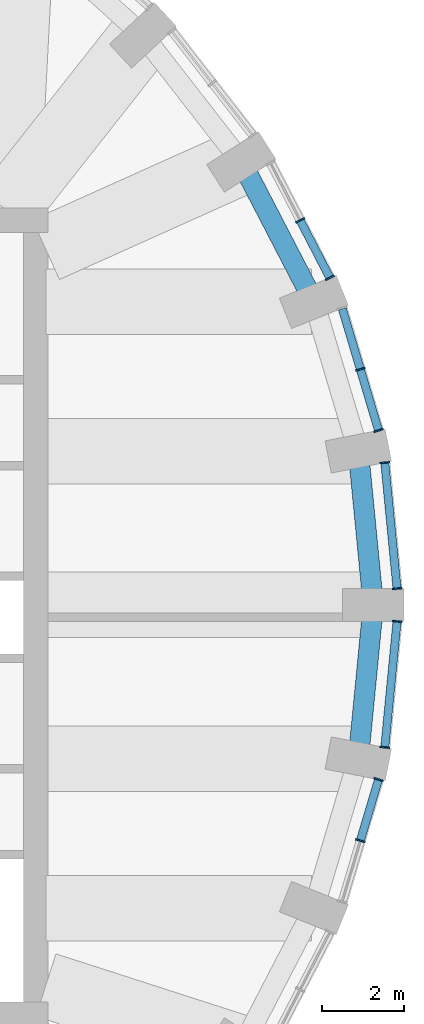
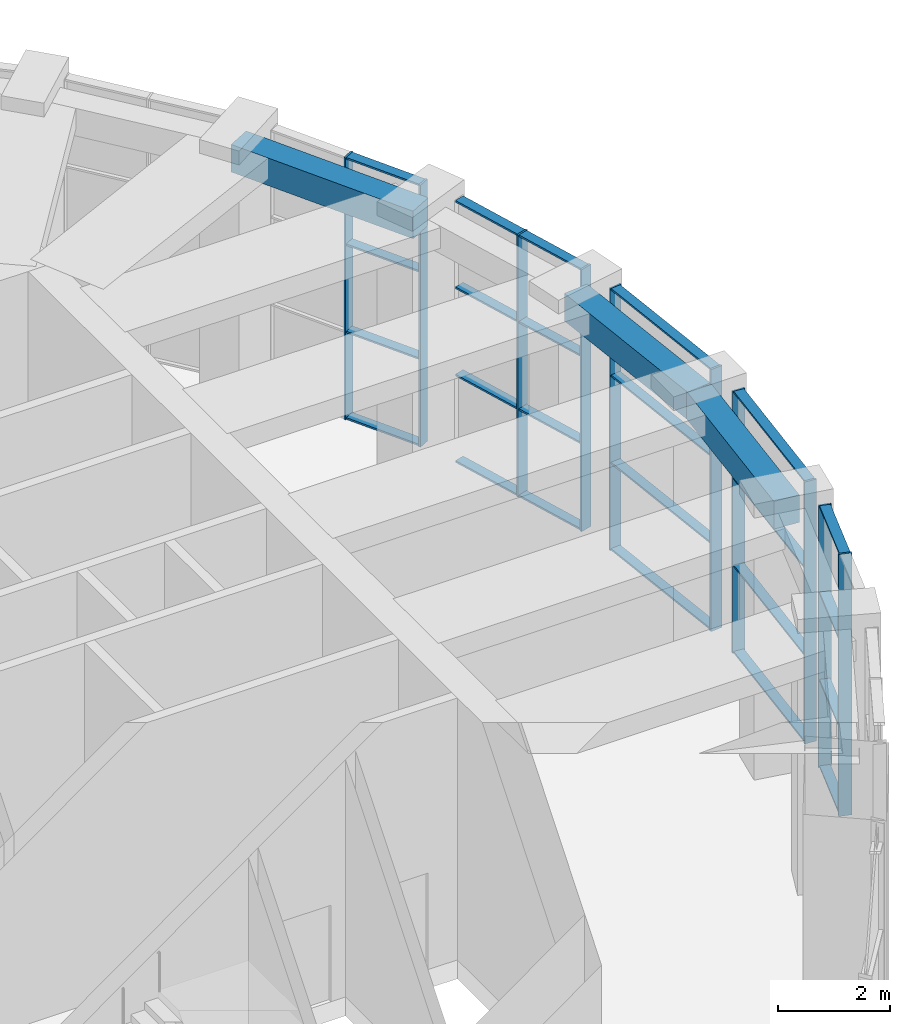
# One storey, part 8 of 20: 34 members, 3 beams, 5 elements without a shape of their own.
"""IFC4 building model written with IfcOpenShell, lengths in metres."""

from ifc_helpers import new_model, si_unit, direction, frame, origin, origin_2d, place, context, subcontext, project, spatial, rectangle, extrude, material, material_profile, profile_set, type_object, element, aggregate, save


model = new_model("IFC4")

# Units and contexts
model_context = context("Model", 3, precision=1e-05, world=origin(), true_north=direction((0.0, 1.0)))
body_context = subcontext(model_context, "Body", "Model", "MODEL_VIEW")
ifc_project = project(units=[si_unit("LENGTHUNIT", "METRE"), si_unit("AREAUNIT", "SQUARE_METRE"), si_unit("VOLUMEUNIT", "CUBIC_METRE"), si_unit("PLANEANGLEUNIT", "RADIAN"), si_unit("MASSUNIT", "GRAM", prefix="KILO")], contexts=[model_context])

# Site, building, storey
site_placement = place(None, origin())
site = spatial("IfcSite", under=ifc_project, at=site_placement, CompositionType="ELEMENT")
building_placement = place(site_placement, origin())
building = spatial("IfcBuilding", under=site, at=building_placement, Name="Taillehof Tower", CompositionType="ELEMENT")
storey_placement = place(building_placement, frame((0.0, 0.0, 269.199951171875)))
storey = spatial("IfcBuildingStorey", under=building, at=storey_placement, Name="L76", CompositionType="ELEMENT", Elevation=269.199951171875)

# Curtain wall, members
ifc_material_1 = material(Name="Aluminium curtain wall with Clear toughened laminated glass", Category="aluminium")
curtain_wall_type = type_object("IfcCurtainWallType", Name="Observation deck curtain wall", PredefinedType="USERDEFINED", material=ifc_material_1)
curtain_wall_1_placement = place(storey_placement, origin())
curtain_wall_1 = element("IfcCurtainWall", 1, at=curtain_wall_1_placement, inside=storey, type_object=curtain_wall_type, Name="Observation deck L76 bay 1", ObjectType="WINDOW WALL", PredefinedType="USERDEFINED")
ifc_material_2 = material(Name="Aluminium mullion", Category="aluminium")
ifc_material_profile_1 = material_profile(ifc_material_2, rectangle(XDim=0.239990234375, YDim=0.0400390625, at=origin_2d()), Name="AL 40x240")
ifc_profile_set_1 = profile_set([ifc_material_profile_1], Name="Aluminium mullion")
member_type_1 = type_object("IfcMemberType", Name="Observation deck mullion 40x240", PredefinedType="MULLION", material=ifc_profile_set_1)
member_1_placement = place(storey_placement, frame((24.530517578125, 0.699951171875, 0.0), z_axis=(0.0, 0.0, 1.0), x_axis=(-0.995312250248, -0.0967136211, 0.0)))
member_1 = element("IfcMember", 2, at=member_1_placement, type_object=member_type_1, Name="CT6E01 mullion 1", PredefinedType="MULLION", context=body_context, shape_type="SweptSolid", body=[
    extrude(rectangle(XDim=0.239990234375, YDim=0.0400390625, at=origin_2d()), origin(), (0.0, 0.0, 1.0), 5.699951171875),
])
member_2_placement = place(storey_placement, frame((24.2314453125, 3.778076171875, 0.0), z_axis=(0.0, 0.0, 1.0), x_axis=(-0.995312250248, -0.0967136211, 0.0)))
member_2 = element("IfcMember", 3, at=member_2_placement, type_object=member_type_1, Name="CT6E01 mullion 2", PredefinedType="MULLION", context=body_context, shape_type="SweptSolid", body=[
    extrude(rectangle(XDim=0.239990234375, YDim=0.0400390625, at=origin_2d()), origin(), (0.0, 0.0, 1.0), 5.699951171875),
])

curtain_wall_2_placement = place(storey_placement, origin())
curtain_wall_2 = element("IfcCurtainWall", 4, at=curtain_wall_2_placement, inside=storey, type_object=curtain_wall_type, Name="Observation deck L76 bay 2", ObjectType="WINDOW WALL", PredefinedType="USERDEFINED")
member_3_placement = place(storey_placement, frame((24.077880859375, 4.563232421875, 0.0), z_axis=(0.0, 0.0, 1.0), x_axis=(-0.958457446134, -0.285235558707, 0.0)))
member_3 = element("IfcMember", 5, at=member_3_placement, type_object=member_type_1, Name="CT6E02 mullion 1", PredefinedType="MULLION", context=body_context, shape_type="SweptSolid", body=[
    extrude(rectangle(XDim=0.239990234375, YDim=0.0400390625, at=origin_2d()), origin(), (0.0, 0.0, 1.0), 5.699951171875),
])
member_4_placement = place(storey_placement, frame((23.63330078125, 6.057373046875, 0.0), z_axis=(0.0, 0.0, 1.0), x_axis=(-0.958457446134, -0.285235558707, 0.0)))
member_4 = element("IfcMember", 6, at=member_4_placement, type_object=member_type_1, Name="CT6E02 mullion 2", PredefinedType="MULLION", context=body_context, shape_type="SweptSolid", body=[
    extrude(rectangle(XDim=0.239990234375, YDim=0.0400390625, at=origin_2d()), origin(), (0.0, 0.0, 1.0), 5.699951171875),
])

curtain_wall_3_placement = place(storey_placement, origin())
curtain_wall_3 = element("IfcCurtainWall", 7, at=curtain_wall_3_placement, inside=storey, type_object=curtain_wall_type, Name="Observation deck L76 bay 3", ObjectType="WINDOW WALL", PredefinedType="USERDEFINED")
member_5_placement = place(storey_placement, frame((22.889404296875, 8.29296875, 0.0), z_axis=(0.0, 0.0, 1.0), x_axis=(-0.887975262702, -0.459891218474, 0.0)))
member_5 = element("IfcMember", 8, at=member_5_placement, type_object=member_type_1, Name="CT6E03 mullion 1", PredefinedType="MULLION", context=body_context, shape_type="SweptSolid", body=[
    extrude(rectangle(XDim=0.239990234375, YDim=0.0400390625, at=origin_2d()), origin(), (0.0, 0.0, 1.0), 5.699951171875),
])
member_6_placement = place(storey_placement, frame((22.161865234375, 9.697509765625, 0.0), z_axis=(0.0, 0.0, 1.0), x_axis=(-0.887975262702, -0.459891218474, 0.0)))
member_6 = element("IfcMember", 9, at=member_6_placement, type_object=member_type_1, Name="CT6E03 mullion 2", PredefinedType="MULLION", context=body_context, shape_type="SweptSolid", body=[
    extrude(rectangle(XDim=0.239990234375, YDim=0.0400390625, at=origin_2d()), origin(), (0.0, 0.0, 1.0), 5.699951171875),
])

curtain_wall_4_placement = place(storey_placement, origin())
curtain_wall_4 = element("IfcCurtainWall", 10, at=curtain_wall_4_placement, inside=storey, type_object=curtain_wall_type, Name="Observation deck L76 bay 35", ObjectType="WINDOW WALL", PredefinedType="USERDEFINED")
member_7_placement = place(storey_placement, frame((23.63330078125, -5.457275390625, 0.0), z_axis=(0.0, 0.0, 1.0), x_axis=(-0.958457446134, 0.285235558707, 0.0)))
member_7 = element("IfcMember", 11, at=member_7_placement, type_object=member_type_1, Name="CT6E35 mullion 2", PredefinedType="MULLION", context=body_context, shape_type="SweptSolid", body=[
    extrude(rectangle(XDim=0.239990234375, YDim=0.0400390625, at=origin_2d()), origin(), (0.0, 0.0, 1.0), 5.699951171875),
])
member_8_placement = place(storey_placement, frame((24.077880859375, -3.96337890625, 0.0), z_axis=(0.0, 0.0, 1.0), x_axis=(-0.958457446134, 0.285235558707, 0.0)))
member_8 = element("IfcMember", 12, at=member_8_placement, type_object=member_type_1, Name="CT6E35 mullion 3", PredefinedType="MULLION", context=body_context, shape_type="SweptSolid", body=[
    extrude(rectangle(XDim=0.239990234375, YDim=0.0400390625, at=origin_2d()), origin(), (0.0, 0.0, 1.0), 5.699951171875),
])

curtain_wall_5_placement = place(storey_placement, origin())
curtain_wall_5 = element("IfcCurtainWall", 13, at=curtain_wall_5_placement, inside=storey, type_object=curtain_wall_type, Name="Observation deck L76 bay 36", ObjectType="WINDOW WALL", PredefinedType="USERDEFINED")
member_9_placement = place(storey_placement, frame((24.2314453125, -3.17822265625, 0.0), z_axis=(0.0, 0.0, 1.0), x_axis=(-0.995312250248, 0.0967136211, 0.0)))
member_9 = element("IfcMember", 14, at=member_9_placement, type_object=member_type_1, Name="CT6E36 mullion 1", PredefinedType="MULLION", context=body_context, shape_type="SweptSolid", body=[
    extrude(rectangle(XDim=0.239990234375, YDim=0.0400390625, at=origin_2d()), origin(), (0.0, 0.0, 1.0), 5.699951171875),
])
member_10_placement = place(storey_placement, frame((24.530517578125, -0.10009765625, 0.0), z_axis=(0.0, 0.0, 1.0), x_axis=(-0.995312250248, 0.0967136211, 0.0)))
member_10 = element("IfcMember", 15, at=member_10_placement, type_object=member_type_1, Name="CT6E36 mullion 2", PredefinedType="MULLION", context=body_context, shape_type="SweptSolid", body=[
    extrude(rectangle(XDim=0.239990234375, YDim=0.0400390625, at=origin_2d()), origin(), (0.0, 0.0, 1.0), 5.699951171875),
])

# Member
ifc_material_3 = material(Name="Aluminium transom", Category="aluminium")
ifc_material_profile_2 = material_profile(ifc_material_3, rectangle(XDim=0.199951171875, YDim=0.0400390625, at=origin_2d()), Name="AL 200x40")
ifc_profile_set_2 = profile_set([ifc_material_profile_2], Name="Aluminium transom")
member_type_2 = type_object("IfcMemberType", Name="Observation deck transom 200x40", PredefinedType="USERDEFINED", material=ifc_profile_set_2)
member_11_placement = place(storey_placement, frame((24.528564453125, 0.719970703125, 0.02001953125), z_axis=(-0.096692247583, 0.995314326862, 0.0), x_axis=(-0.995314326862, -0.096692247583, 0.0)))
member_11 = element("IfcMember", 16, at=member_11_placement, type_object=member_type_2, Name="CT6E01 transom 1.1", ObjectType="TRANSOM", PredefinedType="USERDEFINED", context=body_context, shape_type="SweptSolid", body=[
    extrude(rectangle(XDim=0.199951171875, YDim=0.0400390625, at=origin_2d()), origin(), (0.0, 0.0, 1.0), 3.052734375),
])

member_12_placement = place(storey_placement, frame((24.528564453125, 0.719970703125, 1.900146484375), z_axis=(-0.096692247583, 0.995314326862, 0.0), x_axis=(-0.995314326862, -0.096692247583, 0.0)))
member_12 = element("IfcMember", 17, at=member_12_placement, type_object=member_type_2, Name="CT6E01 transom 1.2", ObjectType="TRANSOM", PredefinedType="USERDEFINED", context=body_context, shape_type="SweptSolid", body=[
    extrude(rectangle(XDim=0.199951171875, YDim=0.0400390625, at=origin_2d()), origin(), (0.0, 0.0, 1.0), 3.052734375),
])

member_13_placement = place(storey_placement, frame((24.528564453125, 0.719970703125, 3.800048828125), z_axis=(-0.096692247583, 0.995314326862, 0.0), x_axis=(-0.995314326862, -0.096692247583, 0.0)))
member_13 = element("IfcMember", 18, at=member_13_placement, type_object=member_type_2, Name="CT6E01 transom 1.3", ObjectType="TRANSOM", PredefinedType="USERDEFINED", context=body_context, shape_type="SweptSolid", body=[
    extrude(rectangle(XDim=0.199951171875, YDim=0.0400390625, at=origin_2d()), origin(), (0.0, 0.0, 1.0), 3.052734375),
])

member_14_placement = place(storey_placement, frame((24.528564453125, 0.719970703125, 5.679931640625), z_axis=(-0.096692247583, 0.995314326862, 0.0), x_axis=(-0.995314326862, -0.096692247583, 0.0)))
member_14 = element("IfcMember", 19, at=member_14_placement, type_object=member_type_2, Name="CT6E01 transom 1.4", ObjectType="TRANSOM", PredefinedType="USERDEFINED", context=body_context, shape_type="SweptSolid", body=[
    extrude(rectangle(XDim=0.199951171875, YDim=0.0400390625, at=origin_2d()), origin(), (0.0, 0.0, 1.0), 3.052734375),
])

aggregate(curtain_wall_1, [member_1, member_2, member_11, member_12, member_13, member_14])

member_15_placement = place(storey_placement, frame((24.072265625, 4.58251953125, 0.02001953125), z_axis=(-0.285341495442, 0.95842591314, 0.0), x_axis=(-0.95842591314, -0.285341495442, 0.0)))
member_15 = element("IfcMember", 20, at=member_15_placement, type_object=member_type_2, Name="CT6E02 transom 1.1", ObjectType="TRANSOM", PredefinedType="USERDEFINED", context=body_context, shape_type="SweptSolid", body=[
    extrude(rectangle(XDim=0.199951171875, YDim=0.0400390625, at=origin_2d()), origin(), (0.0, 0.0, 1.0), 1.518798828125),
])

member_16_placement = place(storey_placement, frame((24.072265625, 4.58251953125, 1.900146484375), z_axis=(-0.285341495442, 0.95842591314, 0.0), x_axis=(-0.95842591314, -0.285341495442, 0.0)))
member_16 = element("IfcMember", 21, at=member_16_placement, type_object=member_type_2, Name="CT6E02 transom 1.2", ObjectType="TRANSOM", PredefinedType="USERDEFINED", context=body_context, shape_type="SweptSolid", body=[
    extrude(rectangle(XDim=0.199951171875, YDim=0.0400390625, at=origin_2d()), origin(), (0.0, 0.0, 1.0), 1.518798828125),
])

member_17_placement = place(storey_placement, frame((24.072265625, 4.58251953125, 3.800048828125), z_axis=(-0.285341495442, 0.95842591314, 0.0), x_axis=(-0.95842591314, -0.285341495442, 0.0)))
member_17 = element("IfcMember", 22, at=member_17_placement, type_object=member_type_2, Name="CT6E02 transom 1.3", ObjectType="TRANSOM", PredefinedType="USERDEFINED", context=body_context, shape_type="SweptSolid", body=[
    extrude(rectangle(XDim=0.199951171875, YDim=0.0400390625, at=origin_2d()), origin(), (0.0, 0.0, 1.0), 1.518798828125),
])

member_18_placement = place(storey_placement, frame((24.072265625, 4.58251953125, 5.679931640625), z_axis=(-0.285341495442, 0.95842591314, 0.0), x_axis=(-0.95842591314, -0.285341495442, 0.0)))
member_18 = element("IfcMember", 23, at=member_18_placement, type_object=member_type_2, Name="CT6E02 transom 1.4", ObjectType="TRANSOM", PredefinedType="USERDEFINED", context=body_context, shape_type="SweptSolid", body=[
    extrude(rectangle(XDim=0.199951171875, YDim=0.0400390625, at=origin_2d()), origin(), (0.0, 0.0, 1.0), 1.518798828125),
])

member_19_placement = place(storey_placement, frame((23.627685546875, 6.076416015625, 0.02001953125), z_axis=(-0.285341495442, 0.95842591314, 0.0), x_axis=(-0.95842591314, -0.285341495442, 0.0)))
member_19 = element("IfcMember", 24, at=member_19_placement, type_object=member_type_2, Name="CT6E02 transom 2.1", ObjectType="TRANSOM", PredefinedType="USERDEFINED", context=body_context, shape_type="SweptSolid", body=[
    extrude(rectangle(XDim=0.199951171875, YDim=0.0400390625, at=origin_2d()), origin(), (0.0, 0.0, 1.0), 1.518798828125),
])

member_20_placement = place(storey_placement, frame((23.627685546875, 6.076416015625, 1.900146484375), z_axis=(-0.285341495442, 0.95842591314, 0.0), x_axis=(-0.95842591314, -0.285341495442, 0.0)))
member_20 = element("IfcMember", 25, at=member_20_placement, type_object=member_type_2, Name="CT6E02 transom 2.2", ObjectType="TRANSOM", PredefinedType="USERDEFINED", context=body_context, shape_type="SweptSolid", body=[
    extrude(rectangle(XDim=0.199951171875, YDim=0.0400390625, at=origin_2d()), origin(), (0.0, 0.0, 1.0), 1.518798828125),
])

member_21_placement = place(storey_placement, frame((23.627685546875, 6.076416015625, 3.800048828125), z_axis=(-0.285341495442, 0.95842591314, 0.0), x_axis=(-0.95842591314, -0.285341495442, 0.0)))
member_21 = element("IfcMember", 26, at=member_21_placement, type_object=member_type_2, Name="CT6E02 transom 2.3", ObjectType="TRANSOM", PredefinedType="USERDEFINED", context=body_context, shape_type="SweptSolid", body=[
    extrude(rectangle(XDim=0.199951171875, YDim=0.0400390625, at=origin_2d()), origin(), (0.0, 0.0, 1.0), 1.518798828125),
])

member_22_placement = place(storey_placement, frame((23.627685546875, 6.076416015625, 5.679931640625), z_axis=(-0.285341495442, 0.95842591314, 0.0), x_axis=(-0.95842591314, -0.285341495442, 0.0)))
member_22 = element("IfcMember", 27, at=member_22_placement, type_object=member_type_2, Name="CT6E02 transom 2.4", ObjectType="TRANSOM", PredefinedType="USERDEFINED", context=body_context, shape_type="SweptSolid", body=[
    extrude(rectangle(XDim=0.199951171875, YDim=0.0400390625, at=origin_2d()), origin(), (0.0, 0.0, 1.0), 1.518798828125),
])

aggregate(curtain_wall_2, [member_3, member_4, member_15, member_16, member_17, member_18, member_19, member_20, member_21, member_22])

member_23_placement = place(storey_placement, frame((22.880126953125, 8.310791015625, 0.02001953125), z_axis=(-0.459901076525, 0.88797015705, 0.0), x_axis=(-0.88797015705, -0.459901076525, 0.0)))
member_23 = element("IfcMember", 28, at=member_23_placement, type_object=member_type_2, Name="CT6E03 transom 1.1", ObjectType="TRANSOM", PredefinedType="USERDEFINED", context=body_context, shape_type="SweptSolid", body=[
    extrude(rectangle(XDim=0.199951171875, YDim=0.0400390625, at=origin_2d()), origin(), (0.0, 0.0, 1.0), 1.54150390625),
])

member_24_placement = place(storey_placement, frame((22.880126953125, 8.310791015625, 1.900146484375), z_axis=(-0.459901076525, 0.88797015705, 0.0), x_axis=(-0.88797015705, -0.459901076525, 0.0)))
member_24 = element("IfcMember", 29, at=member_24_placement, type_object=member_type_2, Name="CT6E03 transom 1.2", ObjectType="TRANSOM", PredefinedType="USERDEFINED", context=body_context, shape_type="SweptSolid", body=[
    extrude(rectangle(XDim=0.199951171875, YDim=0.0400390625, at=origin_2d()), origin(), (0.0, 0.0, 1.0), 1.54150390625),
])

member_25_placement = place(storey_placement, frame((22.880126953125, 8.310791015625, 3.800048828125), z_axis=(-0.459901076525, 0.88797015705, 0.0), x_axis=(-0.88797015705, -0.459901076525, 0.0)))
member_25 = element("IfcMember", 30, at=member_25_placement, type_object=member_type_2, Name="CT6E03 transom 1.3", ObjectType="TRANSOM", PredefinedType="USERDEFINED", context=body_context, shape_type="SweptSolid", body=[
    extrude(rectangle(XDim=0.199951171875, YDim=0.0400390625, at=origin_2d()), origin(), (0.0, 0.0, 1.0), 1.54150390625),
])

member_26_placement = place(storey_placement, frame((22.880126953125, 8.310791015625, 5.679931640625), z_axis=(-0.459901076525, 0.88797015705, 0.0), x_axis=(-0.88797015705, -0.459901076525, 0.0)))
member_26 = element("IfcMember", 31, at=member_26_placement, type_object=member_type_2, Name="CT6E03 transom 1.4", ObjectType="TRANSOM", PredefinedType="USERDEFINED", context=body_context, shape_type="SweptSolid", body=[
    extrude(rectangle(XDim=0.199951171875, YDim=0.0400390625, at=origin_2d()), origin(), (0.0, 0.0, 1.0), 1.54150390625),
])

aggregate(curtain_wall_3, [member_5, member_6, member_23, member_24, member_25, member_26])

member_27_placement = place(storey_placement, frame((23.638916015625, -5.43798828125, 0.02001953125), z_axis=(0.285341495442, 0.95842591314, 0.0), x_axis=(-0.95842591314, 0.285341495442, 0.0)))
member_27 = element("IfcMember", 32, at=member_27_placement, type_object=member_type_2, Name="CT6E35 transom 2.1", ObjectType="TRANSOM", PredefinedType="USERDEFINED", context=body_context, shape_type="SweptSolid", body=[
    extrude(rectangle(XDim=0.199951171875, YDim=0.0400390625, at=origin_2d()), origin(), (0.0, 0.0, 1.0), 1.518798828125),
])

member_28_placement = place(storey_placement, frame((23.638916015625, -5.43798828125, 1.900146484375), z_axis=(0.285341495442, 0.95842591314, 0.0), x_axis=(-0.95842591314, 0.285341495442, 0.0)))
member_28 = element("IfcMember", 33, at=member_28_placement, type_object=member_type_2, Name="CT6E35 transom 2.2", ObjectType="TRANSOM", PredefinedType="USERDEFINED", context=body_context, shape_type="SweptSolid", body=[
    extrude(rectangle(XDim=0.199951171875, YDim=0.0400390625, at=origin_2d()), origin(), (0.0, 0.0, 1.0), 1.518798828125),
])

member_29_placement = place(storey_placement, frame((23.638916015625, -5.43798828125, 3.800048828125), z_axis=(0.285341495442, 0.95842591314, 0.0), x_axis=(-0.95842591314, 0.285341495442, 0.0)))
member_29 = element("IfcMember", 34, at=member_29_placement, type_object=member_type_2, Name="CT6E35 transom 2.3", ObjectType="TRANSOM", PredefinedType="USERDEFINED", context=body_context, shape_type="SweptSolid", body=[
    extrude(rectangle(XDim=0.199951171875, YDim=0.0400390625, at=origin_2d()), origin(), (0.0, 0.0, 1.0), 1.518798828125),
])

member_30_placement = place(storey_placement, frame((23.638916015625, -5.43798828125, 5.679931640625), z_axis=(0.285341495442, 0.95842591314, 0.0), x_axis=(-0.95842591314, 0.285341495442, 0.0)))
member_30 = element("IfcMember", 35, at=member_30_placement, type_object=member_type_2, Name="CT6E35 transom 2.4", ObjectType="TRANSOM", PredefinedType="USERDEFINED", context=body_context, shape_type="SweptSolid", body=[
    extrude(rectangle(XDim=0.199951171875, YDim=0.0400390625, at=origin_2d()), origin(), (0.0, 0.0, 1.0), 1.518798828125),
])

aggregate(curtain_wall_4, [member_7, member_8, member_27, member_28, member_29, member_30])

member_31_placement = place(storey_placement, frame((24.2333984375, -3.158203125, 0.02001953125), z_axis=(0.096692247583, 0.995314326862, 0.0), x_axis=(-0.995314326862, 0.096692247583, 0.0)))
member_31 = element("IfcMember", 36, at=member_31_placement, type_object=member_type_2, Name="CT6E36 transom 1.1", ObjectType="TRANSOM", PredefinedType="USERDEFINED", context=body_context, shape_type="SweptSolid", body=[
    extrude(rectangle(XDim=0.199951171875, YDim=0.0400390625, at=origin_2d()), origin(), (0.0, 0.0, 1.0), 3.052734375),
])

member_32_placement = place(storey_placement, frame((24.2333984375, -3.158203125, 1.900146484375), z_axis=(0.096692247583, 0.995314326862, 0.0), x_axis=(-0.995314326862, 0.096692247583, 0.0)))
member_32 = element("IfcMember", 37, at=member_32_placement, type_object=member_type_2, Name="CT6E36 transom 1.2", ObjectType="TRANSOM", PredefinedType="USERDEFINED", context=body_context, shape_type="SweptSolid", body=[
    extrude(rectangle(XDim=0.199951171875, YDim=0.0400390625, at=origin_2d()), origin(), (0.0, 0.0, 1.0), 3.052734375),
])

member_33_placement = place(storey_placement, frame((24.2333984375, -3.158203125, 3.800048828125), z_axis=(0.096692247583, 0.995314326862, 0.0), x_axis=(-0.995314326862, 0.096692247583, 0.0)))
member_33 = element("IfcMember", 38, at=member_33_placement, type_object=member_type_2, Name="CT6E36 transom 1.3", ObjectType="TRANSOM", PredefinedType="USERDEFINED", context=body_context, shape_type="SweptSolid", body=[
    extrude(rectangle(XDim=0.199951171875, YDim=0.0400390625, at=origin_2d()), origin(), (0.0, 0.0, 1.0), 3.052734375),
])

member_34_placement = place(storey_placement, frame((24.2333984375, -3.158203125, 5.679931640625), z_axis=(0.096692247583, 0.995314326862, 0.0), x_axis=(-0.995314326862, 0.096692247583, 0.0)))
member_34 = element("IfcMember", 39, at=member_34_placement, type_object=member_type_2, Name="CT6E36 transom 1.4", ObjectType="TRANSOM", PredefinedType="USERDEFINED", context=body_context, shape_type="SweptSolid", body=[
    extrude(rectangle(XDim=0.199951171875, YDim=0.0400390625, at=origin_2d()), origin(), (0.0, 0.0, 1.0), 3.052734375),
])

aggregate(curtain_wall_5, [member_9, member_10, member_31, member_32, member_33, member_34])

# Beams
ifc_material_4 = material(Name="Concrete C50/60", Category="concrete")
ifc_material_profile_3 = material_profile(ifc_material_4, rectangle(XDim=0.5, YDim=0.60009765625, at=origin_2d()), Name="RC 500x600")
ifc_profile_set_3 = profile_set([ifc_material_profile_3], Name="Concrete C50/60")
beam_type = type_object("IfcBeamType", Name="Spandrel beam C50/60 500x600", PredefinedType="SPANDREL", material=ifc_profile_set_3)
beam_1_placement = place(storey_placement, frame((23.949951171875, 0.300048828125, 5.400146484375), z_axis=(-0.096693940319, 0.995314162416, 0.0), x_axis=(-0.995314162416, -0.096693940319, 0.0)))
element("IfcBeam", 40, at=beam_1_placement, inside=storey, type_object=beam_type, Name="Spandrel beam SB01", PredefinedType="SPANDREL", context=body_context, shape_type="SweptSolid", body=[
    extrude(rectangle(XDim=0.5, YDim=0.60009765625, at=origin_2d()), origin(), (0.0, 0.0, 1.0), 3.777099609375),
])
beam_2_placement = place(storey_placement, frame((22.49951171875, 7.704833984375, 5.400146484375), z_axis=(-0.45992118545, 0.887959741865, 0.0), x_axis=(-0.887959741865, -0.45992118545, 0.0)))
element("IfcBeam", 41, at=beam_2_placement, inside=storey, type_object=beam_type, Name="Spandrel beam SB03", PredefinedType="SPANDREL", context=body_context, shape_type="SweptSolid", body=[
    extrude(rectangle(XDim=0.5, YDim=0.60009765625, at=origin_2d()), origin(), (0.0, 0.0, 1.0), 3.851806640625),
])
beam_3_placement = place(storey_placement, frame((23.584716796875, -3.45947265625, 5.400146484375), z_axis=(0.096693940319, 0.995314162416, 0.0), x_axis=(-0.995314162416, 0.096693940319, 0.0)))
element("IfcBeam", 42, at=beam_3_placement, inside=storey, type_object=beam_type, Name="Spandrel beam SB36", PredefinedType="SPANDREL", context=body_context, shape_type="SweptSolid", body=[
    extrude(rectangle(XDim=0.5, YDim=0.60009765625, at=origin_2d()), origin(), (0.0, 0.0, 1.0), 3.777099609375),
])

save(model, "model.ifc")
